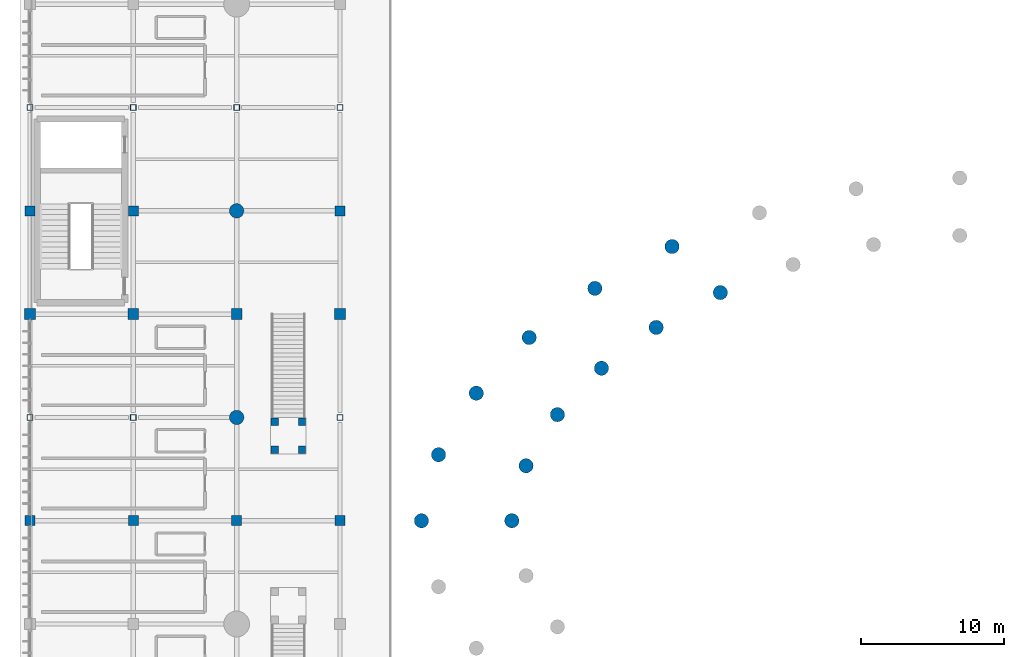
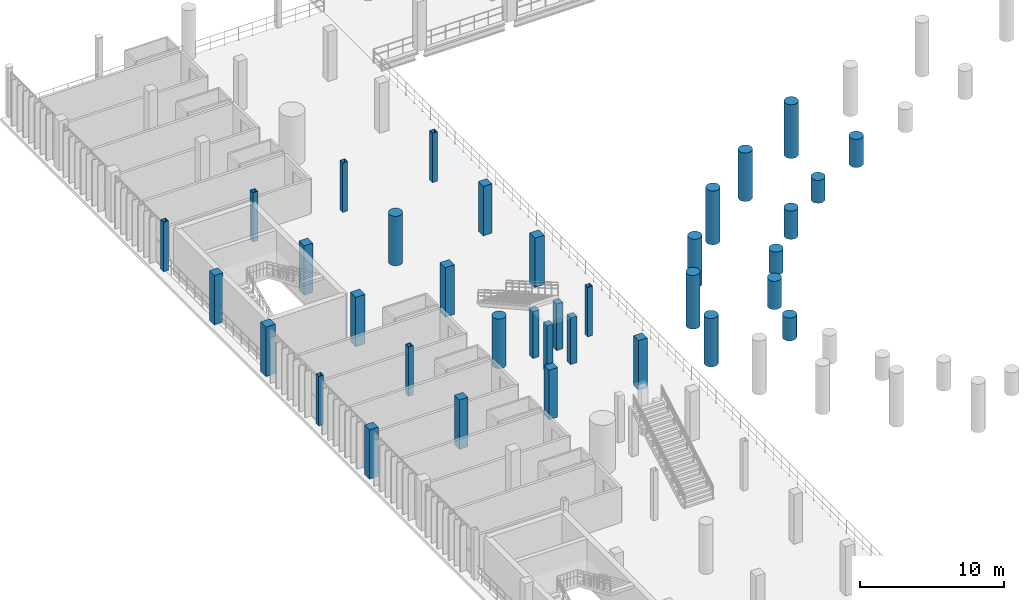
# One storey, part 8 of 130: 36 columns.
"""IFC4 building model written with IfcOpenShell, lengths in metres."""

from ifc_helpers import new_model, si_unit, direction, frame, origin, origin_2d, place, context, subcontext, project, spatial, rectangle, hollow_rectangle, circle, extrude, material, material_profile, profile_set, type_object, element, save


model = new_model("IFC4")

# Units and contexts
model_context = context("Model", 3, precision=1e-05, world=origin(), true_north=direction((0.0, 1.0)))
body_context = subcontext(model_context, "Body", "Model", "MODEL_VIEW")
ifc_project = project(units=[si_unit("LENGTHUNIT", "METRE"), si_unit("AREAUNIT", "SQUARE_METRE"), si_unit("VOLUMEUNIT", "CUBIC_METRE"), si_unit("PLANEANGLEUNIT", "RADIAN"), si_unit("MASSUNIT", "GRAM", prefix="KILO")], contexts=[model_context])

# Site, building, storey
site_placement = place(None, origin())
site = spatial("IfcSite", under=ifc_project, at=site_placement, CompositionType="ELEMENT")
building_placement = place(site_placement, origin())
building = spatial("IfcBuilding", under=site, at=building_placement, Name="Qandorah Velis Arena", CompositionType="ELEMENT")
storey_placement = place(building_placement, frame((0.0, 0.0, 9.60009765625)))
storey = spatial("IfcBuildingStorey", under=building, at=storey_placement, Name="L02", CompositionType="ELEMENT", Elevation=9.60009765625)

# Columns
ifc_material_1 = material(Name="Concrete C40/50", Category="concrete")
ifc_material_profile_1 = material_profile(ifc_material_1, rectangle(XDim=0.5, YDim=0.5, at=origin_2d()), Name="RC COL 500x500")
ifc_profile_set_1 = profile_set([ifc_material_profile_1], Name="Concrete C40/50")
column_type_1 = type_object("IfcColumnType", Name="STR-COL-RC500", PredefinedType="COLUMN", material=ifc_profile_set_1)
for number, where, z_axis, x_axis, name in (
    (1, (17.050048828125, 69.75, 0.0), (0.0, 0.0, 1.0), (1.0, 0.0, 0.0), "Vomitory VS16 L02 landing column 1"),
    (2, (18.949951171875, 69.75, 0.0), (0.0, 0.0, 1.0), (1.0, 0.0, 0.0), "Vomitory VS16 L02 landing column 2"),
    (3, (17.050048828125, 71.699951171875, 0.0), (0.0, 0.0, 1.0), (1.0, 0.0, 0.0), "Vomitory VS16 L02 landing column 3"),
    (4, (18.949951171875, 71.699951171875, 0.0), (0.0, 0.0, 1.0), (1.0, 0.0, 0.0), "Vomitory VS16 L02 landing column 4"),
):
    element("IfcColumn", number, at=place(storey_placement, frame(where, z_axis=z_axis, x_axis=x_axis)), inside=storey, type_object=column_type_1, Name=name, PredefinedType="COLUMN", context=body_context, shape_type="SweptSolid", body=[
        extrude(rectangle(XDim=0.5, YDim=0.5, at=origin_2d()), origin(), (0.0, 0.0, 1.0), 3.9599609375),
    ])
ifc_material_profile_2 = material_profile(ifc_material_1, rectangle(XDim=0.699951171875, YDim=0.699951171875, at=origin_2d()), Name="RC COL 700x700")
ifc_profile_set_2 = profile_set([ifc_material_profile_2], Name="Concrete C40/50")
column_type_2 = type_object("IfcColumnType", Name="STR-COL-RC700", PredefinedType="COLUMN", material=ifc_profile_set_2)
for number, where, z_axis, x_axis, name in (
    (5, (0.0, 64.800048828125, 0.0), (0.0, 0.0, 1.0), (1.0, 0.0, 0.0), "Structural column L02-007"),
    (6, (0.0, 86.39990234375, 0.0), (0.0, 0.0, 1.0), (1.0, 0.0, 0.0), "Structural column L02-010"),
    (7, (7.199951171875, 64.800048828125, 0.0), (0.0, 0.0, 1.0), (1.0, 0.0, 0.0), "Structural column L02-022"),
    (8, (7.199951171875, 86.39990234375, 0.0), (0.0, 0.0, 1.0), (1.0, 0.0, 0.0), "Structural column L02-025"),
    (9, (14.39990234375, 64.800048828125, 0.0), (0.0, 0.0, 1.0), (1.0, 0.0, 0.0), "Structural column L02-037"),
    (10, (21.60009765625, 64.800048828125, 0.0), (0.0, 0.0, 1.0), (1.0, 0.0, 0.0), "Structural column L02-052"),
    (11, (21.60009765625, 86.39990234375, 0.0), (0.0, 0.0, 1.0), (1.0, 0.0, 0.0), "Structural column L02-055"),
):
    element("IfcColumn", number, at=place(storey_placement, frame(where, z_axis=z_axis, x_axis=x_axis)), inside=storey, type_object=column_type_2, Name=name, PredefinedType="COLUMN", context=body_context, shape_type="SweptSolid", body=[
        extrude(rectangle(XDim=0.699951171875, YDim=0.699951171875, at=origin_2d()), origin(), (0.0, 0.0, 1.0), 4.199951171875),
    ])
ifc_material_profile_3 = material_profile(ifc_material_1, rectangle(XDim=0.75, YDim=0.75, at=origin_2d()), Name="RC COL 750x750")
ifc_profile_set_3 = profile_set([ifc_material_profile_3], Name="Concrete C40/50")
column_type_3 = type_object("IfcColumnType", Name="STR-COL-RC750", PredefinedType="COLUMN", material=ifc_profile_set_3)
for number, where, z_axis, x_axis, name in (
    (12, (0.0, 79.199951171875, 0.0), (0.0, 0.0, 1.0), (1.0, 0.0, 0.0), "Structural column L02-009"),
    (13, (7.199951171875, 79.199951171875, 0.0), (0.0, 0.0, 1.0), (1.0, 0.0, 0.0), "Structural column L02-024"),
    (14, (14.39990234375, 79.199951171875, 0.0), (0.0, 0.0, 1.0), (1.0, 0.0, 0.0), "Structural column L02-039"),
    (15, (21.60009765625, 79.199951171875, 0.0), (0.0, 0.0, 1.0), (1.0, 0.0, 0.0), "Structural column L02-054"),
):
    element("IfcColumn", number, at=place(storey_placement, frame(where, z_axis=z_axis, x_axis=x_axis)), inside=storey, type_object=column_type_3, Name=name, PredefinedType="COLUMN", context=body_context, shape_type="SweptSolid", body=[
        extrude(rectangle(XDim=0.75, YDim=0.75, at=origin_2d()), origin(), (0.0, 0.0, 1.0), 4.199951171875),
    ])
ifc_material_profile_4 = material_profile(ifc_material_1, circle(Radius=0.5, at=origin_2d()), Name="RC D1000")
ifc_profile_set_4 = profile_set([ifc_material_profile_4], Name="Concrete C40/50")
column_type_4 = type_object("IfcColumnType", Name="STR-COL-RCD1000", PredefinedType="COLUMN", material=ifc_profile_set_4)
for number, where, z_axis, x_axis, name in (
    (16, (14.39990234375, 72.0, 0.0), (0.0, 0.0, 1.0), (1.0, 0.0, 0.0), "Bowl drum ring column L02-038"),
    (17, (14.39990234375, 86.39990234375, 0.0), (0.0, 0.0, 1.0), (1.0, 0.0, 0.0), "Bowl drum ring column L02-040"),
):
    element("IfcColumn", number, at=place(storey_placement, frame(where, z_axis=z_axis, x_axis=x_axis)), inside=storey, type_object=column_type_4, Name=name, PredefinedType="COLUMN", context=body_context, shape_type="SweptSolid", body=[
        extrude(circle(Radius=0.5, at=origin_2d()), origin(), (0.0, 0.0, 1.0), 4.199951171875),
    ])
column_1_placement = place(storey_placement, frame((48.114013671875, 80.701171875, 0.0), z_axis=(0.0, 0.0, 1.0), x_axis=(1.0, 0.0, 0.0)))
element("IfcColumn", 18, at=column_1_placement, inside=storey, type_object=column_type_4, Name="Upper raker fulcrum column L02 6.2", PredefinedType="COLUMN", context=body_context, shape_type="SweptSolid", body=[
    extrude(circle(Radius=0.5, at=origin_2d()), origin(), (0.0, 0.0, 1.0), 2.39501953125),
])
column_2_placement = place(storey_placement, frame((44.746826171875, 83.909912109375, 0.0), z_axis=(0.0, 0.0, 1.0), x_axis=(1.0, 0.0, 0.0)))
element("IfcColumn", 19, at=column_2_placement, inside=storey, type_object=column_type_4, Name="Outer bowl raker column L02 6.2", PredefinedType="COLUMN", context=body_context, shape_type="SweptSolid", body=[
    extrude(circle(Radius=0.5, at=origin_2d()), origin(), (0.0, 0.0, 1.0), 4.5595703125),
])
column_3_placement = place(storey_placement, frame((43.64013671875, 78.2734375, 0.0), z_axis=(0.0, 0.0, 1.0), x_axis=(1.0, 0.0, 0.0)))
element("IfcColumn", 20, at=column_3_placement, inside=storey, type_object=column_type_4, Name="Upper raker fulcrum column L02 7.1", PredefinedType="COLUMN", context=body_context, shape_type="SweptSolid", body=[
    extrude(circle(Radius=0.5, at=origin_2d()), origin(), (0.0, 0.0, 1.0), 1.94482421875),
])
column_4_placement = place(storey_placement, frame((39.370361328125, 80.992431640625, 0.0), z_axis=(0.0, 0.0, 1.0), x_axis=(1.0, 0.0, 0.0)))
element("IfcColumn", 21, at=column_4_placement, inside=storey, type_object=column_type_4, Name="Outer bowl raker column L02 7.1", PredefinedType="COLUMN", context=body_context, shape_type="SweptSolid", body=[
    extrude(circle(Radius=0.5, at=origin_2d()), origin(), (0.0, 0.0, 1.0), 4.109619140625),
])
column_5_placement = place(storey_placement, frame((39.82763671875, 75.4248046875, 0.0), z_axis=(0.0, 0.0, 1.0), x_axis=(1.0, 0.0, 0.0)))
element("IfcColumn", 22, at=column_5_placement, inside=storey, type_object=column_type_4, Name="Upper raker fulcrum column L02 7.2", PredefinedType="COLUMN", context=body_context, shape_type="SweptSolid", body=[
    extrude(circle(Radius=0.5, at=origin_2d()), origin(), (0.0, 0.0, 1.0), 2.39501953125),
])
column_6_placement = place(storey_placement, frame((34.788330078125, 77.56884765625, 0.0), z_axis=(0.0, 0.0, 1.0), x_axis=(1.0, 0.0, 0.0)))
element("IfcColumn", 23, at=column_6_placement, inside=storey, type_object=column_type_4, Name="Outer bowl raker column L02 7.2", PredefinedType="COLUMN", context=body_context, shape_type="SweptSolid", body=[
    extrude(circle(Radius=0.5, at=origin_2d()), origin(), (0.0, 0.0, 1.0), 4.5595703125),
])
column_7_placement = place(storey_placement, frame((36.760009765625, 72.195556640625, 0.0), z_axis=(0.0, 0.0, 1.0), x_axis=(1.0, 0.0, 0.0)))
element("IfcColumn", 24, at=column_7_placement, inside=storey, type_object=column_type_4, Name="Upper raker fulcrum column L02 8.1", PredefinedType="COLUMN", context=body_context, shape_type="SweptSolid", body=[
    extrude(circle(Radius=0.5, at=origin_2d()), origin(), (0.0, 0.0, 1.0), 1.94482421875),
])
column_8_placement = place(storey_placement, frame((31.101806640625, 73.68798828125, 0.0), z_axis=(0.0, 0.0, 1.0), x_axis=(1.0, 0.0, 0.0)))
element("IfcColumn", 25, at=column_8_placement, inside=storey, type_object=column_type_4, Name="Outer bowl raker column L02 8.1", PredefinedType="COLUMN", context=body_context, shape_type="SweptSolid", body=[
    extrude(circle(Radius=0.5, at=origin_2d()), origin(), (0.0, 0.0, 1.0), 4.109619140625),
])
column_9_placement = place(storey_placement, frame((34.573974609375, 68.62841796875, 0.0), z_axis=(0.0, 0.0, 1.0), x_axis=(1.0, 0.0, 0.0)))
element("IfcColumn", 26, at=column_9_placement, inside=storey, type_object=column_type_4, Name="Upper raker fulcrum column L02 8.2", PredefinedType="COLUMN", context=body_context, shape_type="SweptSolid", body=[
    extrude(circle(Radius=0.5, at=origin_2d()), origin(), (0.0, 0.0, 1.0), 2.39501953125),
])
column_10_placement = place(storey_placement, frame((28.474609375, 69.40087890625, 0.0), z_axis=(0.0, 0.0, 1.0), x_axis=(1.0, 0.0, 0.0)))
element("IfcColumn", 27, at=column_10_placement, inside=storey, type_object=column_type_4, Name="Outer bowl raker column L02 8.2", PredefinedType="COLUMN", context=body_context, shape_type="SweptSolid", body=[
    extrude(circle(Radius=0.5, at=origin_2d()), origin(), (0.0, 0.0, 1.0), 4.5595703125),
])
column_11_placement = place(storey_placement, frame((33.580078125, 64.800048828125, 0.0), z_axis=(0.0, 0.0, 1.0), x_axis=(1.0, 0.0, 0.0)))
element("IfcColumn", 28, at=column_11_placement, inside=storey, type_object=column_type_4, Name="Upper raker fulcrum column L02 9.1", PredefinedType="COLUMN", context=body_context, shape_type="SweptSolid", body=[
    extrude(circle(Radius=0.5, at=origin_2d()), origin(), (0.0, 0.0, 1.0), 1.94482421875),
])
column_12_placement = place(storey_placement, frame((27.280029296875, 64.800048828125, 0.0), z_axis=(0.0, 0.0, 1.0), x_axis=(1.0, 0.0, 0.0)))
element("IfcColumn", 29, at=column_12_placement, inside=storey, type_object=column_type_4, Name="Outer bowl raker column L02 9.1", PredefinedType="COLUMN", context=body_context, shape_type="SweptSolid", body=[
    extrude(circle(Radius=0.5, at=origin_2d()), origin(), (0.0, 0.0, 1.0), 4.109619140625),
])
ifc_material_2 = material(Name="Steel S355", Category="steel")
ifc_material_profile_5 = material_profile(ifc_material_2, hollow_rectangle(XDim=0.39990234375, YDim=0.39990234375, WallThickness=0.02001953125, at=origin_2d()), Name="SHS 400x400x20")
ifc_profile_set_5 = profile_set([ifc_material_profile_5], Name="Steel S355")
column_type_5 = type_object("IfcColumnType", Name="STR-COL-SHS400", PredefinedType="COLUMN", material=ifc_profile_set_5)
for number, where, z_axis, x_axis, name in (
    (30, (0.0, 72.0, 0.0), (0.0, 0.0, 1.0), (1.0, 0.0, 0.0), "Structural column L02-008"),
    (31, (0.0, 93.60009765625, 0.0), (0.0, 0.0, 1.0), (1.0, 0.0, 0.0), "Structural column L02-011"),
    (32, (7.199951171875, 72.0, 0.0), (0.0, 0.0, 1.0), (1.0, 0.0, 0.0), "Structural column L02-023"),
    (33, (7.199951171875, 93.60009765625, 0.0), (0.0, 0.0, 1.0), (1.0, 0.0, 0.0), "Structural column L02-026"),
    (34, (14.39990234375, 93.60009765625, 0.0), (0.0, 0.0, 1.0), (1.0, 0.0, 0.0), "Structural column L02-041"),
    (35, (21.60009765625, 72.0, 0.0), (0.0, 0.0, 1.0), (1.0, 0.0, 0.0), "Structural column L02-053"),
    (36, (21.60009765625, 93.60009765625, 0.0), (0.0, 0.0, 1.0), (1.0, 0.0, 0.0), "Structural column L02-056"),
):
    element("IfcColumn", number, at=place(storey_placement, frame(where, z_axis=z_axis, x_axis=x_axis)), inside=storey, type_object=column_type_5, Name=name, PredefinedType="COLUMN", context=body_context, shape_type="SweptSolid", body=[
        extrude(hollow_rectangle(XDim=0.39990234375, YDim=0.39990234375, WallThickness=0.02001953125, at=origin_2d()), origin(), (0.0, 0.0, 1.0), 4.199951171875),
    ])

save(model, "model.ifc")
